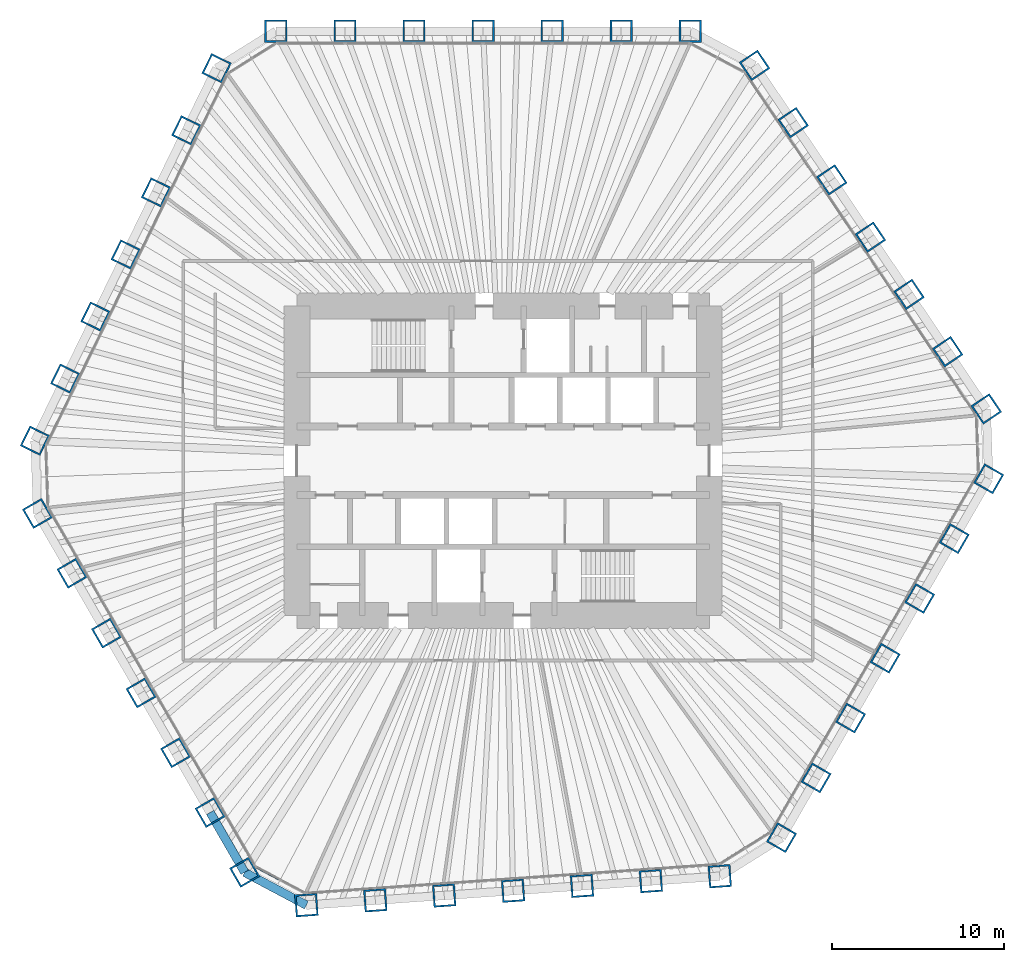
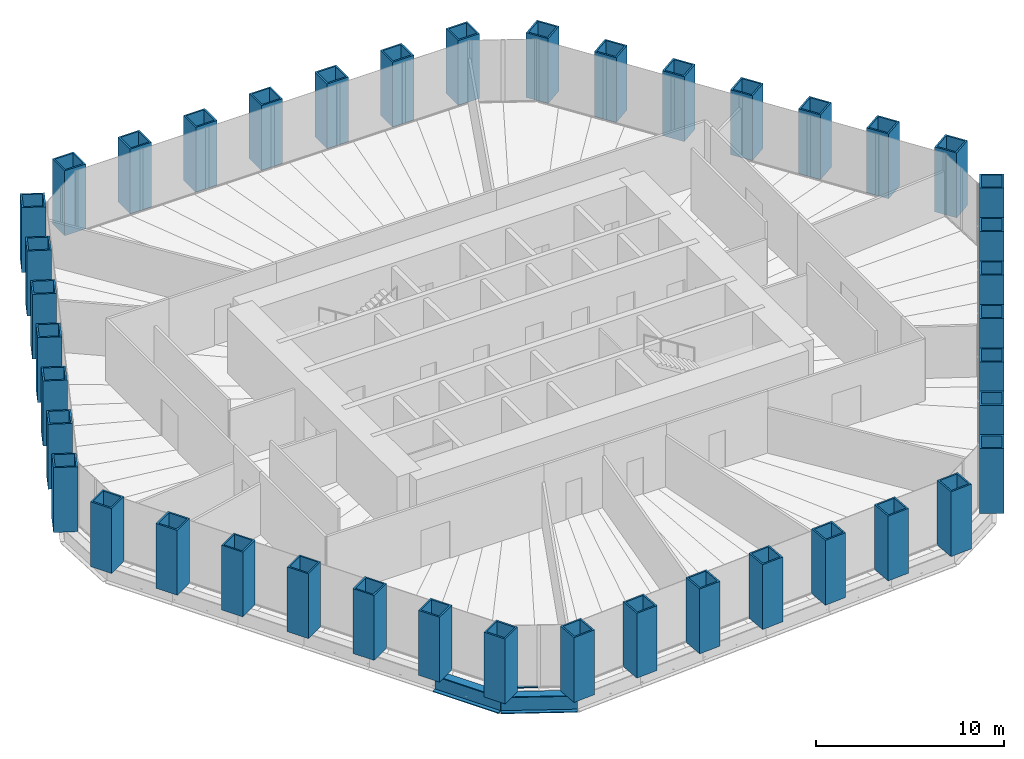
# One storey, part 1 of 13: 42 columns, 2 beams, 1 member, 1 element without a shape of its own.
"""IFC4 building model written with IfcOpenShell, lengths in metres."""

from ifc_helpers import new_model, si_unit, direction, frame, origin, origin_2d, place, context, subcontext, project, spatial, rectangle, hollow_rectangle, i_section, extrude, material, material_profile, profile_set, type_object, element, aggregate, save


model = new_model("IFC4")

# Units and contexts
model_context = context("Model", 3, precision=1e-05, world=origin(), true_north=direction((0.0, 1.0)))
body_context = subcontext(model_context, "Body", "Model", "MODEL_VIEW")
ifc_project = project(units=[si_unit("LENGTHUNIT", "METRE"), si_unit("AREAUNIT", "SQUARE_METRE"), si_unit("VOLUMEUNIT", "CUBIC_METRE"), si_unit("PLANEANGLEUNIT", "RADIAN"), si_unit("MASSUNIT", "GRAM", prefix="KILO")], contexts=[model_context])

# Site, building, storey
site_placement = place(None, origin())
site = spatial("IfcSite", under=ifc_project, at=site_placement, CompositionType="ELEMENT")
building_placement = place(site_placement, origin())
building = spatial("IfcBuilding", under=site, at=building_placement, Name="Qingtian Harvest Tower", CompositionType="ELEMENT")
storey_placement = place(building_placement, frame((0.0, 0.0, 119.800048828125)))
storey = spatial("IfcBuildingStorey", under=building, at=storey_placement, Name="L24", CompositionType="ELEMENT", Elevation=119.800048828125)

# Columns
ifc_material_1 = material(Name="Steel SM570MC", Category="steel")
ifc_material_profile_1 = material_profile(ifc_material_1, hollow_rectangle(XDim=1.300048828125, YDim=1.300048828125, WallThickness=0.10009765625, at=origin_2d()), Name="BOX1300x1300x100")
ifc_profile_set_1 = profile_set([ifc_material_profile_1], Name="Steel SM570MC")
column_type = type_object("IfcColumnType", Name="Tube column TC3 BOX1300x1300x100", PredefinedType="COLUMN", material=ifc_profile_set_1)
for number, where, z_axis, x_axis, name in (
    (1, (-13.2216796875, 25.0, 0.0), (0.0, 0.0, 1.0), (-1.0, 0.0, 0.0), "Tube column TC3 N0"),
    (2, (-9.20263671875, 25.0, 0.0), (0.0, 0.0, 1.0), (-1.0, 0.0, 0.0), "Tube column TC3 N1"),
    (3, (-5.18359375, 25.0, 0.0), (0.0, 0.0, 1.0), (-1.0, 0.0, 0.0), "Tube column TC3 N2"),
    (4, (-1.16455078125, 25.0, 0.0), (0.0, 0.0, 1.0), (-1.0, 0.0, 0.0), "Tube column TC3 N3"),
    (5, (2.8544921875, 25.0, 0.0), (0.0, 0.0, 1.0), (-1.0, 0.0, 0.0), "Tube column TC3 N4"),
    (6, (6.873779296875, 25.0, 0.0), (0.0, 0.0, 1.0), (-1.0, 0.0, 0.0), "Tube column TC3 N5"),
    (7, (10.892822265625, 25.0, 0.0), (0.0, 0.0, 1.0), (-1.0, 0.0, 0.0), "Tube column TC3 N6"),
    (8, (14.634765625, 23.01025390625, 0.0), (0.0, 0.0, 1.0), (-0.559192903471, 0.829037572555, 0.0), "Tube column TC3 NE0"),
    (9, (16.88232421875, 19.67822265625, 0.0), (0.0, 0.0, 1.0), (-0.559192903471, 0.829037572555, 0.0), "Tube column TC3 NE1"),
    (10, (19.129638671875, 16.346435546875, 0.0), (0.0, 0.0, 1.0), (-0.559192903471, 0.829037572555, 0.0), "Tube column TC3 NE2"),
    (11, (21.377197265625, 13.014404296875, 0.0), (0.0, 0.0, 1.0), (-0.559192903471, 0.829037572555, 0.0), "Tube column TC3 NE3"),
    (12, (23.62451171875, 9.682373046875, 0.0), (0.0, 0.0, 1.0), (-0.559192903471, 0.829037572555, 0.0), "Tube column TC3 NE4"),
    (13, (25.8720703125, 6.3505859375, 0.0), (0.0, 0.0, 1.0), (-0.559192903471, 0.829037572555, 0.0), "Tube column TC3 NE5"),
    (14, (28.119384765625, 3.0185546875, 0.0), (0.0, 0.0, 1.0), (-0.559192903471, 0.829037572555, 0.0), "Tube column TC3 NE6"),
    (15, (28.261474609375, -1.049560546875, 0.0), (0.0, 0.0, 1.0), (0.5, 0.866025403784, 0.0), "Tube column TC3 SE0"),
    (16, (26.251953125, -4.5302734375, 0.0), (0.0, 0.0, 1.0), (0.5, 0.866025403784, 0.0), "Tube column TC3 SE1"),
    (17, (24.242431640625, -8.010986328125, 0.0), (0.0, 0.0, 1.0), (0.5, 0.866025403784, 0.0), "Tube column TC3 SE2"),
    (18, (22.23291015625, -11.491455078125, 0.0), (0.0, 0.0, 1.0), (0.5, 0.866025403784, 0.0), "Tube column TC3 SE3"),
    (19, (20.223388671875, -14.97216796875, 0.0), (0.0, 0.0, 1.0), (0.5, 0.866025403784, 0.0), "Tube column TC3 SE4"),
    (20, (18.2138671875, -18.452880859375, 0.0), (0.0, 0.0, 1.0), (0.5, 0.866025403784, 0.0), "Tube column TC3 SE5"),
    (21, (16.204345703125, -21.933349609375, 0.0), (0.0, 0.0, 1.0), (0.5, 0.866025403784, 0.0), "Tube column TC3 SE6"),
    (22, (12.610107421875, -24.17919921875, 0.0), (0.0, 0.0, 1.0), (0.99756405026, 0.069756473744, 0.0), "Tube column TC3 S0"),
    (23, (8.600830078125, -24.459716796875, 0.0), (0.0, 0.0, 1.0), (0.99756405026, 0.069756473744, 0.0), "Tube column TC3 S1"),
    (24, (4.591552734375, -24.739990234375, 0.0), (0.0, 0.0, 1.0), (0.99756405026, 0.069756473744, 0.0), "Tube column TC3 S2"),
    (25, (0.582275390625, -25.020263671875, 0.0), (0.0, 0.0, 1.0), (0.99756405026, 0.069756473744, 0.0), "Tube column TC3 S3"),
    (26, (-3.427001953125, -25.30078125, 0.0), (0.0, 0.0, 1.0), (0.99756405026, 0.069756473744, 0.0), "Tube column TC3 S4"),
    (27, (-7.436279296875, -25.5810546875, 0.0), (0.0, 0.0, 1.0), (0.99756405026, 0.069756473744, 0.0), "Tube column TC3 S5"),
    (28, (-11.445556640625, -25.861328125, 0.0), (0.0, 0.0, 1.0), (0.99756405026, 0.069756473744, 0.0), "Tube column TC3 S6"),
    (29, (-15.039794921875, -23.950439453125, 0.0), (0.0, 0.0, 1.0), (0.5, -0.866025403784, 0.0), "Tube column TC3 SW0"),
    (30, (-17.04931640625, -20.4697265625, 0.0), (0.0, 0.0, 1.0), (0.5, -0.866025403784, 0.0), "Tube column TC3 SW1"),
    (31, (-19.058837890625, -16.989013671875, 0.0), (0.0, 0.0, 1.0), (0.5, -0.866025403784, 0.0), "Tube column TC3 SW2"),
    (32, (-21.068359375, -13.508544921875, 0.0), (0.0, 0.0, 1.0), (0.5, -0.866025403784, 0.0), "Tube column TC3 SW3"),
    (33, (-23.077880859375, -10.02783203125, 0.0), (0.0, 0.0, 1.0), (0.5, -0.866025403784, 0.0), "Tube column TC3 SW4"),
    (34, (-25.08740234375, -6.547119140625, 0.0), (0.0, 0.0, 1.0), (0.5, -0.866025403784, 0.0), "Tube column TC3 SW5"),
    (35, (-27.096923828125, -3.066650390625, 0.0), (0.0, 0.0, 1.0), (0.5, -0.866025403784, 0.0), "Tube column TC3 SW6"),
    (36, (-27.244873046875, 1.1689453125, 0.0), (0.0, 0.0, 1.0), (-0.438371146789, -0.898794046299, 0.0), "Tube column TC3 NW0"),
    (37, (-25.483154296875, 4.78125, 0.0), (0.0, 0.0, 1.0), (-0.438371146789, -0.898794046299, 0.0), "Tube column TC3 NW1"),
    (38, (-23.72119140625, 8.3935546875, 0.0), (0.0, 0.0, 1.0), (-0.438371146789, -0.898794046299, 0.0), "Tube column TC3 NW2"),
    (39, (-21.95947265625, 12.005859375, 0.0), (0.0, 0.0, 1.0), (-0.438371146789, -0.898794046299, 0.0), "Tube column TC3 NW3"),
    (40, (-20.197509765625, 15.6181640625, 0.0), (0.0, 0.0, 1.0), (-0.438371146789, -0.898794046299, 0.0), "Tube column TC3 NW4"),
    (41, (-18.435791015625, 19.23046875, 0.0), (0.0, 0.0, 1.0), (-0.438371146789, -0.898794046299, 0.0), "Tube column TC3 NW5"),
    (42, (-16.673828125, 22.8427734375, 0.0), (0.0, 0.0, 1.0), (-0.438371146789, -0.898794046299, 0.0), "Tube column TC3 NW6"),
):
    element("IfcColumn", number, at=place(storey_placement, frame(where, z_axis=z_axis, x_axis=x_axis)), inside=storey, type_object=column_type, Name=name, PredefinedType="COLUMN", context=body_context, shape_type="SweptSolid", body=[
        extrude(hollow_rectangle(XDim=1.300048828125, YDim=1.300048828125, WallThickness=0.10009765625, at=origin_2d()), origin(), (0.0, 0.0, 1.0), 4.199951171875),
    ])

# Beams
ifc_material_2 = material(Name="Steel SM570MC", Category="steel")
ifc_material_profile_2 = material_profile(ifc_material_2, i_section(OverallWidth=0.5, OverallDepth=1.10009765625, WebThickness=0.02490234375, FlangeThickness=0.050048828125, at=origin_2d()), Name="H1100x500x25x50")
ifc_profile_set_2 = profile_set([ifc_material_profile_2], Name="Steel SM570MC")
beam_type = type_object("IfcBeamType", Name="Spandrel beam SB2 H1100x500x25x50", PredefinedType="SPANDREL", material=ifc_profile_set_2)
beam_1_placement = place(storey_placement, frame((-11.445556640625, -25.861328125, -0.550048828125), z_axis=(-0.882968133669, 0.469432929101, 0.0), x_axis=(-0.469432929101, -0.882968133669, 0.0)))
element("IfcBeam", 43, at=beam_1_placement, inside=storey, type_object=beam_type, Name="Spandrel SB2 SC", PredefinedType="SPANDREL", context=body_context, shape_type="SweptSolid", body=[
    extrude(i_section(OverallWidth=0.5, OverallDepth=1.10009765625, WebThickness=0.02490234375, FlangeThickness=0.050048828125, at=origin_2d()), origin(), (0.0, 0.0, 1.0), 4.070556640625),
])
beam_2_placement = place(storey_placement, frame((-15.039794921875, -23.950439453125, -0.550048828125), z_axis=(-0.499987116613, 0.866032841884, 0.0), x_axis=(-0.866032841884, -0.499987116613, 0.0)))
element("IfcBeam", 44, at=beam_2_placement, inside=storey, type_object=beam_type, Name="Spandrel SB2 SW0", PredefinedType="SPANDREL", context=body_context, shape_type="SweptSolid", body=[
    extrude(i_section(OverallWidth=0.5, OverallDepth=1.10009765625, WebThickness=0.02490234375, FlangeThickness=0.050048828125, at=origin_2d()), origin(), (0.0, 0.0, 1.0), 4.01904296875),
])

# Curtain wall, member
ifc_material_3 = material(Name="Bronze-anodised aluminium curtain wall", Category="aluminium")
curtain_wall_type = type_object("IfcCurtainWallType", Name="Curtain wall CW4 office", PredefinedType="USERDEFINED", material=ifc_material_3)
curtain_wall_placement = place(storey_placement, origin())
curtain_wall = element("IfcCurtainWall", 45, at=curtain_wall_placement, inside=storey, type_object=curtain_wall_type, Name="Curtain wall CW4 L24 SC", ObjectType="RECESSED CURTAIN WALL", PredefinedType="USERDEFINED")
ifc_material_4 = material(Name="Bronze-anodised aluminium transom", Category="aluminium")
ifc_material_profile_3 = material_profile(ifc_material_4, rectangle(XDim=0.14990234375, YDim=0.06494140625, at=origin_2d()), Name="AL 65x150")
ifc_profile_set_3 = profile_set([ifc_material_profile_3], Name="Bronze-anodised aluminium transom")
member_type = type_object("IfcMemberType", Name="Transom CWT 65x150", PredefinedType="USERDEFINED", material=ifc_profile_set_3)
member_placement = place(storey_placement, frame((-12.99267578125, -24.366455078125, 0.032470703125), z_axis=(-0.882960338349, 0.46944759122, 0.0), x_axis=(-0.46944759122, -0.882960338349, 0.0)))
member = element("IfcMember", 46, at=member_placement, type_object=member_type, Name="CW4 transom 2.1", ObjectType="TRANSOM", PredefinedType="USERDEFINED", context=body_context, shape_type="SweptSolid", body=[
    extrude(rectangle(XDim=0.14990234375, YDim=0.06494140625, at=origin_2d()), origin(), (0.0, 0.0, 1.0), 1.56689453125),
])
aggregate(curtain_wall, [member])

save(model, "model.ifc")
